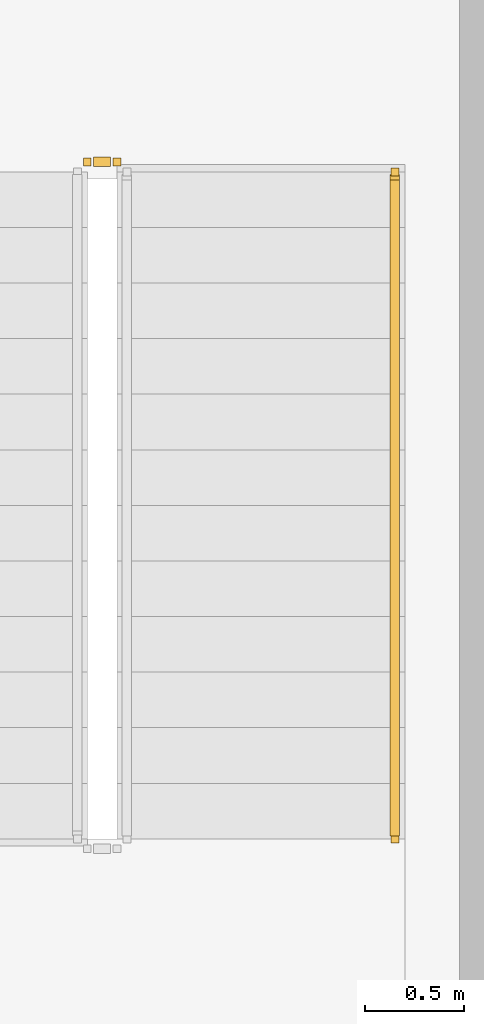
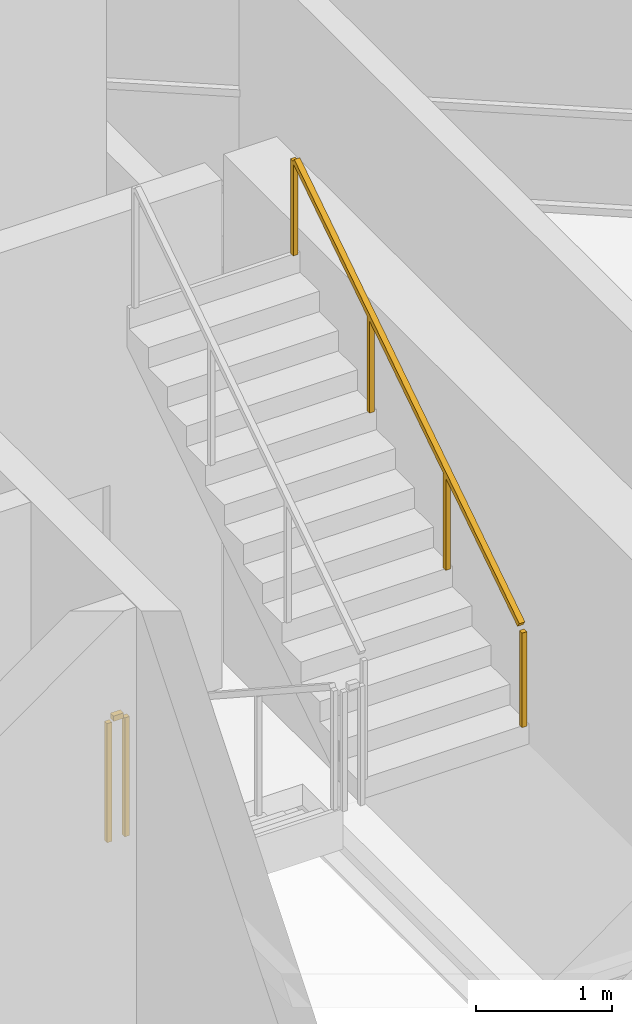
# One storey, part 17 of 18: 2 railings.
"""IFC4 building model written with IfcOpenShell, lengths in metres."""

from ifc_helpers import new_model, si_unit, direction, frame, origin, origin_2d, place, context, subcontext, project, spatial, rectangle, extrude, material, type_object, element, save


model = new_model("IFC4")

# Units and contexts
model_context = context("Model", 3, precision=1e-05, world=origin(), true_north=direction((0.0, 1.0)))
body_context = subcontext(model_context, "Body", "Model", "MODEL_VIEW")
ifc_project = project(units=[si_unit("LENGTHUNIT", "METRE"), si_unit("AREAUNIT", "SQUARE_METRE"), si_unit("VOLUMEUNIT", "CUBIC_METRE"), si_unit("PLANEANGLEUNIT", "RADIAN"), si_unit("MASSUNIT", "GRAM", prefix="KILO")], contexts=[model_context])

# Site, building, storey
site_placement = place(None, origin())
site = spatial("IfcSite", under=ifc_project, at=site_placement, CompositionType="ELEMENT")
building_placement = place(site_placement, origin())
building = spatial("IfcBuilding", under=site, at=building_placement, Name="Tharavind Bronze Gate", CompositionType="ELEMENT")
storey_placement = place(building_placement, frame((0.0, 0.0, 134.050048828125)))
storey = spatial("IfcBuildingStorey", under=building, at=storey_placement, Name="L34", CompositionType="ELEMENT", Elevation=134.050048828125)

# Railings
ifc_material = material(Name="Brushed Bronze Alloy", Category="metal")
railing_type_1 = type_object("IfcRailingType", Name="STAIR BRONZE HANDRAIL 900", PredefinedType="HANDRAIL", material=ifc_material)
railing_1_placement = place(storey_placement, frame((8.35009765625, -1.110107421875, 2.5576171875)))
element("IfcRailing", 1, at=railing_1_placement, inside=storey, type_object=railing_type_1, Name="L34 ST2 stair handrail 2", PredefinedType="HANDRAIL", context=body_context, shape_type="SweptSolid", body=[
    extrude(rectangle(XDim=0.048095703125, YDim=0.048095703125, at=origin_2d()), frame((0.0, 0.02685546875, 0.893310546875), z_axis=(0.0, 0.837495574281, 0.546444107901), x_axis=(-1.0, 0.0, 0.0)), (0.0, 0.0, 1.0), 3.947998046875),
    extrude(rectangle(XDim=0.0400390625, YDim=0.0400390625, at=origin_2d()), origin(), (0.0, 0.0, 1.0), 0.847900390625),
    extrude(rectangle(XDim=0.0400390625, YDim=0.0400390625, at=origin_2d()), frame((0.0, 1.1201171875, 0.730712890625)), (0.0, 0.0, 1.0), 0.847900390625),
    extrude(rectangle(XDim=0.0400390625, YDim=0.0400390625, at=origin_2d()), frame((0.0, 2.239990234375, 1.461669921875)), (0.0, 0.0, 1.0), 0.847900390625),
    extrude(rectangle(XDim=0.0400390625, YDim=0.0400390625, at=origin_2d()), frame((0.0, 3.360107421875, 2.1923828125)), (0.0, 0.0, 1.0), 0.847900390625),
])
railing_type_2 = type_object("IfcRailingType", Name="STAIR WELL GUARD RAILING 1120", PredefinedType="GUARDRAIL", material=ifc_material)
railing_2_placement = place(storey_placement, frame((6.800048828125, 2.300048828125, 0.0)))
element("IfcRailing", 2, at=railing_2_placement, inside=storey, type_object=railing_type_2, Name="L34 ST2 stair guard 4", PredefinedType="GUARDRAIL", context=body_context, shape_type="SweptSolid", body=[
    extrude(rectangle(XDim=0.048095703125, YDim=0.048095703125, at=origin_2d()), frame((0.031982421875, 0.0, 1.09619140625), z_axis=(1.0, 0.0, 0.0), x_axis=(0.0, 1.0, 0.0)), (0.0, 0.0, 1.0), 0.0859375),
    extrude(rectangle(XDim=0.0400390625, YDim=0.0400390625, at=origin_2d()), origin(), (0.0, 0.0, 1.0), 1.068115234375),
    extrude(rectangle(XDim=0.0400390625, YDim=0.0400390625, at=origin_2d()), frame((0.14990234375, 0.0, 0.0)), (0.0, 0.0, 1.0), 1.068115234375),
])

save(model, "model.ifc")
